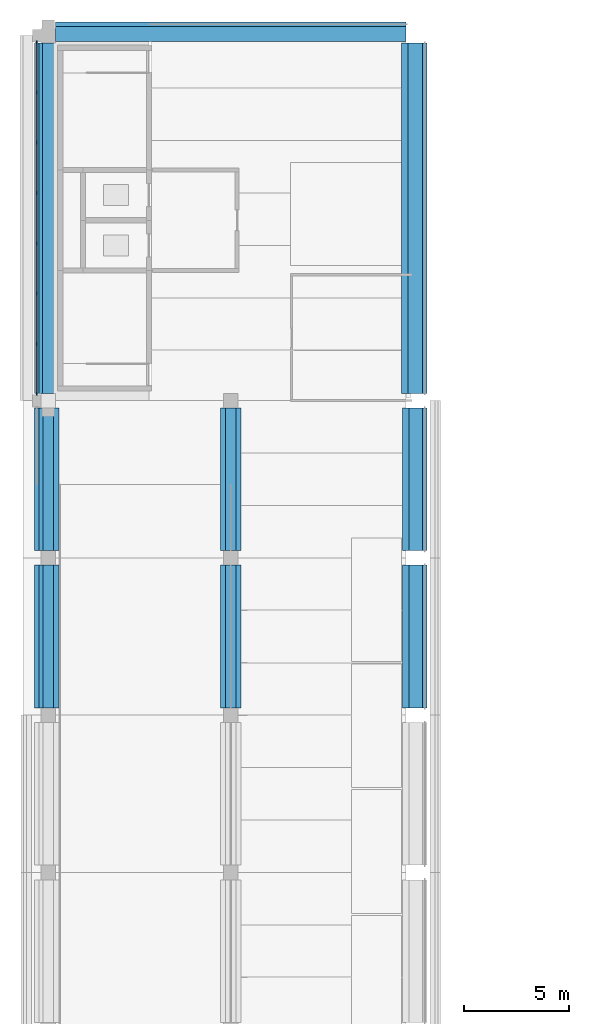
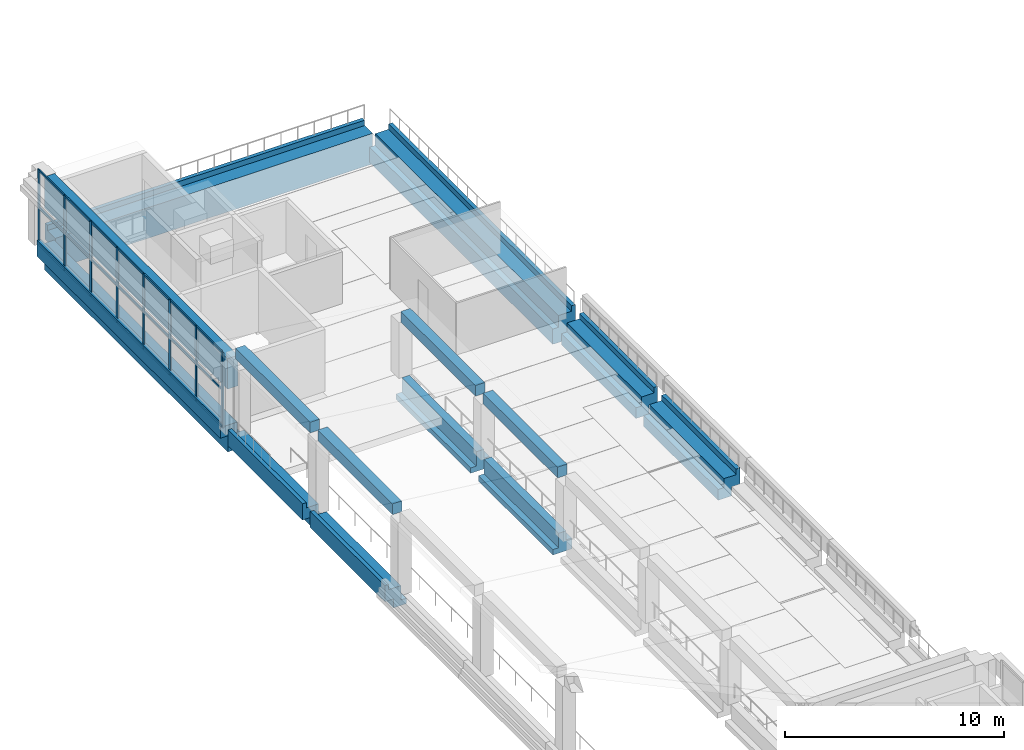
# One storey, part 3 of 17: 29 members, 14 beams, 1 element without a shape of its own.
"""IFC4 building model written with IfcOpenShell, lengths in metres."""

from ifc_helpers import new_model, si_unit, direction, frame, origin, origin_2d, place, context, subcontext, project, spatial, polyline, rectangle, outline, extrude, material, layer, layer_set, material_profile, profile_set, type_object, element, aggregate, save


model = new_model("IFC4")

# Units and contexts
model_context = context("Model", 3, precision=1e-05, world=origin(), true_north=direction((0.0, 1.0)))
body_context = subcontext(model_context, "Body", "Model", "MODEL_VIEW")
ifc_project = project(units=[si_unit("LENGTHUNIT", "METRE"), si_unit("AREAUNIT", "SQUARE_METRE"), si_unit("VOLUMEUNIT", "CUBIC_METRE"), si_unit("PLANEANGLEUNIT", "RADIAN"), si_unit("MASSUNIT", "GRAM", prefix="KILO")], contexts=[model_context])

# Site, building, storey
site_placement = place(None, origin())
site = spatial("IfcSite", under=ifc_project, at=site_placement, CompositionType="ELEMENT")
building_placement = place(site_placement, origin())
building = spatial("IfcBuilding", under=site, at=building_placement, Name="Cour d'Honneur Mobility Palace", CompositionType="ELEMENT")
storey_placement = place(building_placement, frame((0.0, 0.0, 34.10009765625)))
storey = spatial("IfcBuildingStorey", under=building, at=storey_placement, Name="L09", CompositionType="ELEMENT", Elevation=34.10009765625)

# Curtain wall, members
ifc_material_1 = material(Name="Aluminium and glass", Category="aluminium")
ifc_layer = layer(ifc_material_1, 0.10009765625)
ifc_layer_set = layer_set([ifc_layer], Name="Aluminium and glass")
curtain_wall_type = type_object("IfcCurtainWallType", Name="Curtain wall run", PredefinedType="NOTDEFINED", material=ifc_layer_set)
curtain_wall_placement = place(storey_placement, origin())
curtain_wall = element("IfcCurtainWall", 1, at=curtain_wall_placement, inside=storey, type_object=curtain_wall_type, Name="Curtain wall CW-112", PredefinedType="NOTDEFINED")
ifc_material_2 = material(Name="Aluminium", Category="aluminium")
ifc_material_profile_1 = material_profile(ifc_material_2, rectangle(XDim=0.06005859375, YDim=0.159912109375, at=origin_2d()), Name="Curtain wall mullion")
ifc_profile_set_1 = profile_set([ifc_material_profile_1], Name="Aluminium")
member_type_1 = type_object("IfcMemberType", Name="Curtain wall mullion", PredefinedType="MULLION", material=ifc_profile_set_1)
member_1_placement = place(storey_placement, frame((-0.550048828125, 62.070068359375, 0.0), z_axis=(0.0, 0.0, 1.0), x_axis=(1.0, 0.0, 0.0)))
member_1 = element("IfcMember", 2, at=member_1_placement, type_object=member_type_1, Name="CW-112 mullion 1", PredefinedType="MULLION", context=body_context, shape_type="SweptSolid", body=[
    extrude(rectangle(XDim=0.06005859375, YDim=0.159912109375, at=origin_2d()), origin(), (0.0, 0.0, 1.0), 4.199951171875),
])
member_2_placement = place(storey_placement, frame((-0.550048828125, 59.699951171875, 0.0), z_axis=(0.0, 0.0, 1.0), x_axis=(1.0, 0.0, 0.0)))
member_2 = element("IfcMember", 3, at=member_2_placement, type_object=member_type_1, Name="CW-112 mullion 2", PredefinedType="MULLION", context=body_context, shape_type="SweptSolid", body=[
    extrude(rectangle(XDim=0.06005859375, YDim=0.159912109375, at=origin_2d()), origin(), (0.0, 0.0, 1.0), 4.199951171875),
])
member_3_placement = place(storey_placement, frame((-0.550048828125, 57.300048828125, 0.0), z_axis=(0.0, 0.0, 1.0), x_axis=(1.0, 0.0, 0.0)))
member_3 = element("IfcMember", 4, at=member_3_placement, type_object=member_type_1, Name="CW-112 mullion 3", PredefinedType="MULLION", context=body_context, shape_type="SweptSolid", body=[
    extrude(rectangle(XDim=0.06005859375, YDim=0.159912109375, at=origin_2d()), origin(), (0.0, 0.0, 1.0), 4.199951171875),
])
member_4_placement = place(storey_placement, frame((-0.550048828125, 54.89990234375, 0.0), z_axis=(0.0, 0.0, 1.0), x_axis=(1.0, 0.0, 0.0)))
member_4 = element("IfcMember", 5, at=member_4_placement, type_object=member_type_1, Name="CW-112 mullion 4", PredefinedType="MULLION", context=body_context, shape_type="SweptSolid", body=[
    extrude(rectangle(XDim=0.06005859375, YDim=0.159912109375, at=origin_2d()), origin(), (0.0, 0.0, 1.0), 4.199951171875),
])
member_5_placement = place(storey_placement, frame((-0.550048828125, 52.5, 0.0), z_axis=(0.0, 0.0, 1.0), x_axis=(1.0, 0.0, 0.0)))
member_5 = element("IfcMember", 6, at=member_5_placement, type_object=member_type_1, Name="CW-112 mullion 5", PredefinedType="MULLION", context=body_context, shape_type="SweptSolid", body=[
    extrude(rectangle(XDim=0.06005859375, YDim=0.159912109375, at=origin_2d()), origin(), (0.0, 0.0, 1.0), 4.199951171875),
])
member_6_placement = place(storey_placement, frame((-0.550048828125, 50.10009765625, 0.0), z_axis=(0.0, 0.0, 1.0), x_axis=(1.0, 0.0, 0.0)))
member_6 = element("IfcMember", 7, at=member_6_placement, type_object=member_type_1, Name="CW-112 mullion 6", PredefinedType="MULLION", context=body_context, shape_type="SweptSolid", body=[
    extrude(rectangle(XDim=0.06005859375, YDim=0.159912109375, at=origin_2d()), origin(), (0.0, 0.0, 1.0), 4.199951171875),
])
member_7_placement = place(storey_placement, frame((-0.550048828125, 47.699951171875, 0.0), z_axis=(0.0, 0.0, 1.0), x_axis=(1.0, 0.0, 0.0)))
member_7 = element("IfcMember", 8, at=member_7_placement, type_object=member_type_1, Name="CW-112 mullion 7", PredefinedType="MULLION", context=body_context, shape_type="SweptSolid", body=[
    extrude(rectangle(XDim=0.06005859375, YDim=0.159912109375, at=origin_2d()), origin(), (0.0, 0.0, 1.0), 4.199951171875),
])
member_8_placement = place(storey_placement, frame((-0.550048828125, 45.330078125, 0.0), z_axis=(0.0, 0.0, 1.0), x_axis=(1.0, 0.0, 0.0)))
member_8 = element("IfcMember", 9, at=member_8_placement, type_object=member_type_1, Name="CW-112 mullion 8", PredefinedType="MULLION", context=body_context, shape_type="SweptSolid", body=[
    extrude(rectangle(XDim=0.06005859375, YDim=0.159912109375, at=origin_2d()), origin(), (0.0, 0.0, 1.0), 4.199951171875),
])
ifc_material_3 = material(Name="Aluminium", Category="aluminium")
ifc_material_profile_2 = material_profile(ifc_material_3, rectangle(XDim=0.06005859375, YDim=0.1201171875, at=origin_2d()), Name="Curtain wall transom")
ifc_profile_set_2 = profile_set([ifc_material_profile_2], Name="Aluminium")
member_type_2 = type_object("IfcMemberType", Name="Curtain wall transom", PredefinedType="USERDEFINED", material=ifc_profile_set_2)
member_9_placement = place(storey_placement, frame((-0.550048828125, 62.0400390625, 0.02978515625), z_axis=(0.0, -1.0, 0.0), x_axis=(1.0, 0.0, 0.0)))
member_9 = element("IfcMember", 10, at=member_9_placement, type_object=member_type_2, Name="CW-112 transom 1.1", ObjectType="TRANSOM", PredefinedType="USERDEFINED", context=body_context, shape_type="SweptSolid", body=[
    extrude(rectangle(XDim=0.06005859375, YDim=0.1201171875, at=origin_2d()), origin(), (0.0, 0.0, 1.0), 2.31005859375),
])
member_10_placement = place(storey_placement, frame((-0.550048828125, 62.0400390625, 2.099853515625), z_axis=(0.0, -1.0, 0.0), x_axis=(1.0, 0.0, 0.0)))
member_10 = element("IfcMember", 11, at=member_10_placement, type_object=member_type_2, Name="CW-112 transom 1.2", ObjectType="TRANSOM", PredefinedType="USERDEFINED", context=body_context, shape_type="SweptSolid", body=[
    extrude(rectangle(XDim=0.06005859375, YDim=0.1201171875, at=origin_2d()), origin(), (0.0, 0.0, 1.0), 2.31005859375),
])
member_11_placement = place(storey_placement, frame((-0.550048828125, 62.0400390625, 4.169921875), z_axis=(0.0, -1.0, 0.0), x_axis=(1.0, 0.0, 0.0)))
member_11 = element("IfcMember", 12, at=member_11_placement, type_object=member_type_2, Name="CW-112 transom 1.3", ObjectType="TRANSOM", PredefinedType="USERDEFINED", context=body_context, shape_type="SweptSolid", body=[
    extrude(rectangle(XDim=0.06005859375, YDim=0.1201171875, at=origin_2d()), origin(), (0.0, 0.0, 1.0), 2.31005859375),
])
member_12_placement = place(storey_placement, frame((-0.550048828125, 59.669921875, 0.02978515625), z_axis=(0.0, -1.0, 0.0), x_axis=(1.0, 0.0, 0.0)))
member_12 = element("IfcMember", 13, at=member_12_placement, type_object=member_type_2, Name="CW-112 transom 2.1", ObjectType="TRANSOM", PredefinedType="USERDEFINED", context=body_context, shape_type="SweptSolid", body=[
    extrude(rectangle(XDim=0.06005859375, YDim=0.1201171875, at=origin_2d()), origin(), (0.0, 0.0, 1.0), 2.33984375),
])
member_13_placement = place(storey_placement, frame((-0.550048828125, 59.669921875, 2.099853515625), z_axis=(0.0, -1.0, 0.0), x_axis=(1.0, 0.0, 0.0)))
member_13 = element("IfcMember", 14, at=member_13_placement, type_object=member_type_2, Name="CW-112 transom 2.2", ObjectType="TRANSOM", PredefinedType="USERDEFINED", context=body_context, shape_type="SweptSolid", body=[
    extrude(rectangle(XDim=0.06005859375, YDim=0.1201171875, at=origin_2d()), origin(), (0.0, 0.0, 1.0), 2.33984375),
])
member_14_placement = place(storey_placement, frame((-0.550048828125, 59.669921875, 4.169921875), z_axis=(0.0, -1.0, 0.0), x_axis=(1.0, 0.0, 0.0)))
member_14 = element("IfcMember", 15, at=member_14_placement, type_object=member_type_2, Name="CW-112 transom 2.3", ObjectType="TRANSOM", PredefinedType="USERDEFINED", context=body_context, shape_type="SweptSolid", body=[
    extrude(rectangle(XDim=0.06005859375, YDim=0.1201171875, at=origin_2d()), origin(), (0.0, 0.0, 1.0), 2.33984375),
])
member_15_placement = place(storey_placement, frame((-0.550048828125, 57.27001953125, 0.02978515625), z_axis=(0.0, -1.0, 0.0), x_axis=(1.0, 0.0, 0.0)))
member_15 = element("IfcMember", 16, at=member_15_placement, type_object=member_type_2, Name="CW-112 transom 3.1", ObjectType="TRANSOM", PredefinedType="USERDEFINED", context=body_context, shape_type="SweptSolid", body=[
    extrude(rectangle(XDim=0.06005859375, YDim=0.1201171875, at=origin_2d()), origin(), (0.0, 0.0, 1.0), 2.340087890625),
])
member_16_placement = place(storey_placement, frame((-0.550048828125, 57.27001953125, 2.099853515625), z_axis=(0.0, -1.0, 0.0), x_axis=(1.0, 0.0, 0.0)))
member_16 = element("IfcMember", 17, at=member_16_placement, type_object=member_type_2, Name="CW-112 transom 3.2", ObjectType="TRANSOM", PredefinedType="USERDEFINED", context=body_context, shape_type="SweptSolid", body=[
    extrude(rectangle(XDim=0.06005859375, YDim=0.1201171875, at=origin_2d()), origin(), (0.0, 0.0, 1.0), 2.340087890625),
])
member_17_placement = place(storey_placement, frame((-0.550048828125, 57.27001953125, 4.169921875), z_axis=(0.0, -1.0, 0.0), x_axis=(1.0, 0.0, 0.0)))
member_17 = element("IfcMember", 18, at=member_17_placement, type_object=member_type_2, Name="CW-112 transom 3.3", ObjectType="TRANSOM", PredefinedType="USERDEFINED", context=body_context, shape_type="SweptSolid", body=[
    extrude(rectangle(XDim=0.06005859375, YDim=0.1201171875, at=origin_2d()), origin(), (0.0, 0.0, 1.0), 2.340087890625),
])
member_18_placement = place(storey_placement, frame((-0.550048828125, 54.8701171875, 0.02978515625), z_axis=(0.0, -1.0, 0.0), x_axis=(1.0, 0.0, 0.0)))
member_18 = element("IfcMember", 19, at=member_18_placement, type_object=member_type_2, Name="CW-112 transom 4.1", ObjectType="TRANSOM", PredefinedType="USERDEFINED", context=body_context, shape_type="SweptSolid", body=[
    extrude(rectangle(XDim=0.06005859375, YDim=0.1201171875, at=origin_2d()), origin(), (0.0, 0.0, 1.0), 2.340087890625),
])
member_19_placement = place(storey_placement, frame((-0.550048828125, 54.8701171875, 2.099853515625), z_axis=(0.0, -1.0, 0.0), x_axis=(1.0, 0.0, 0.0)))
member_19 = element("IfcMember", 20, at=member_19_placement, type_object=member_type_2, Name="CW-112 transom 4.2", ObjectType="TRANSOM", PredefinedType="USERDEFINED", context=body_context, shape_type="SweptSolid", body=[
    extrude(rectangle(XDim=0.06005859375, YDim=0.1201171875, at=origin_2d()), origin(), (0.0, 0.0, 1.0), 2.340087890625),
])
member_20_placement = place(storey_placement, frame((-0.550048828125, 54.8701171875, 4.169921875), z_axis=(0.0, -1.0, 0.0), x_axis=(1.0, 0.0, 0.0)))
member_20 = element("IfcMember", 21, at=member_20_placement, type_object=member_type_2, Name="CW-112 transom 4.3", ObjectType="TRANSOM", PredefinedType="USERDEFINED", context=body_context, shape_type="SweptSolid", body=[
    extrude(rectangle(XDim=0.06005859375, YDim=0.1201171875, at=origin_2d()), origin(), (0.0, 0.0, 1.0), 2.340087890625),
])
member_21_placement = place(storey_placement, frame((-0.550048828125, 52.469970703125, 0.02978515625), z_axis=(0.0, -1.0, 0.0), x_axis=(1.0, 0.0, 0.0)))
member_21 = element("IfcMember", 22, at=member_21_placement, type_object=member_type_2, Name="CW-112 transom 5.1", ObjectType="TRANSOM", PredefinedType="USERDEFINED", context=body_context, shape_type="SweptSolid", body=[
    extrude(rectangle(XDim=0.06005859375, YDim=0.1201171875, at=origin_2d()), origin(), (0.0, 0.0, 1.0), 2.340087890625),
])
member_22_placement = place(storey_placement, frame((-0.550048828125, 52.469970703125, 2.099853515625), z_axis=(0.0, -1.0, 0.0), x_axis=(1.0, 0.0, 0.0)))
member_22 = element("IfcMember", 23, at=member_22_placement, type_object=member_type_2, Name="CW-112 transom 5.2", ObjectType="TRANSOM", PredefinedType="USERDEFINED", context=body_context, shape_type="SweptSolid", body=[
    extrude(rectangle(XDim=0.06005859375, YDim=0.1201171875, at=origin_2d()), origin(), (0.0, 0.0, 1.0), 2.340087890625),
])
member_23_placement = place(storey_placement, frame((-0.550048828125, 52.469970703125, 4.169921875), z_axis=(0.0, -1.0, 0.0), x_axis=(1.0, 0.0, 0.0)))
member_23 = element("IfcMember", 24, at=member_23_placement, type_object=member_type_2, Name="CW-112 transom 5.3", ObjectType="TRANSOM", PredefinedType="USERDEFINED", context=body_context, shape_type="SweptSolid", body=[
    extrude(rectangle(XDim=0.06005859375, YDim=0.1201171875, at=origin_2d()), origin(), (0.0, 0.0, 1.0), 2.340087890625),
])
member_24_placement = place(storey_placement, frame((-0.550048828125, 50.070068359375, 0.02978515625), z_axis=(0.0, -1.0, 0.0), x_axis=(1.0, 0.0, 0.0)))
member_24 = element("IfcMember", 25, at=member_24_placement, type_object=member_type_2, Name="CW-112 transom 6.1", ObjectType="TRANSOM", PredefinedType="USERDEFINED", context=body_context, shape_type="SweptSolid", body=[
    extrude(rectangle(XDim=0.06005859375, YDim=0.1201171875, at=origin_2d()), origin(), (0.0, 0.0, 1.0), 2.340087890625),
])
member_25_placement = place(storey_placement, frame((-0.550048828125, 50.070068359375, 2.099853515625), z_axis=(0.0, -1.0, 0.0), x_axis=(1.0, 0.0, 0.0)))
member_25 = element("IfcMember", 26, at=member_25_placement, type_object=member_type_2, Name="CW-112 transom 6.2", ObjectType="TRANSOM", PredefinedType="USERDEFINED", context=body_context, shape_type="SweptSolid", body=[
    extrude(rectangle(XDim=0.06005859375, YDim=0.1201171875, at=origin_2d()), origin(), (0.0, 0.0, 1.0), 2.340087890625),
])
member_26_placement = place(storey_placement, frame((-0.550048828125, 50.070068359375, 4.169921875), z_axis=(0.0, -1.0, 0.0), x_axis=(1.0, 0.0, 0.0)))
member_26 = element("IfcMember", 27, at=member_26_placement, type_object=member_type_2, Name="CW-112 transom 6.3", ObjectType="TRANSOM", PredefinedType="USERDEFINED", context=body_context, shape_type="SweptSolid", body=[
    extrude(rectangle(XDim=0.06005859375, YDim=0.1201171875, at=origin_2d()), origin(), (0.0, 0.0, 1.0), 2.340087890625),
])
member_27_placement = place(storey_placement, frame((-0.550048828125, 47.669921875, 0.02978515625), z_axis=(0.0, -1.0, 0.0), x_axis=(1.0, 0.0, 0.0)))
member_27 = element("IfcMember", 28, at=member_27_placement, type_object=member_type_2, Name="CW-112 transom 7.1", ObjectType="TRANSOM", PredefinedType="USERDEFINED", context=body_context, shape_type="SweptSolid", body=[
    extrude(rectangle(XDim=0.06005859375, YDim=0.1201171875, at=origin_2d()), origin(), (0.0, 0.0, 1.0), 2.309814453125),
])
member_28_placement = place(storey_placement, frame((-0.550048828125, 47.669921875, 2.099853515625), z_axis=(0.0, -1.0, 0.0), x_axis=(1.0, 0.0, 0.0)))
member_28 = element("IfcMember", 29, at=member_28_placement, type_object=member_type_2, Name="CW-112 transom 7.2", ObjectType="TRANSOM", PredefinedType="USERDEFINED", context=body_context, shape_type="SweptSolid", body=[
    extrude(rectangle(XDim=0.06005859375, YDim=0.1201171875, at=origin_2d()), origin(), (0.0, 0.0, 1.0), 2.309814453125),
])
member_29_placement = place(storey_placement, frame((-0.550048828125, 47.669921875, 4.169921875), z_axis=(0.0, -1.0, 0.0), x_axis=(1.0, 0.0, 0.0)))
member_29 = element("IfcMember", 30, at=member_29_placement, type_object=member_type_2, Name="CW-112 transom 7.3", ObjectType="TRANSOM", PredefinedType="USERDEFINED", context=body_context, shape_type="SweptSolid", body=[
    extrude(rectangle(XDim=0.06005859375, YDim=0.1201171875, at=origin_2d()), origin(), (0.0, 0.0, 1.0), 2.309814453125),
])
aggregate(curtain_wall, [member_1, member_2, member_3, member_4, member_5, member_6, member_7, member_8, member_9, member_10, member_11, member_12, member_13, member_14, member_15, member_16, member_17, member_18, member_19, member_20, member_21, member_22, member_23, member_24, member_25, member_26, member_27, member_28, member_29])

# Beams
ifc_material_4 = material(Name="Concrete C45", Category="concrete")
ifc_material_profile_3 = material_profile(ifc_material_4, outline(polyline([(0.27490234375, -1.699951171875), (0.27490234375, -0.60009765625), (0.64990234375, -0.60009765625), (0.64990234375, 0.300048828125), (0.449951171875, 0.300048828125), (0.449951171875, 0.0), (0.27490234375, 0.0), (-0.27490234375, 0.0), (-0.27490234375, -1.699951171875), (0.27490234375, -1.699951171875)])), Name="Edge Spandrel Beam 550x1700 no ledge facade left")
ifc_profile_set_3 = profile_set([ifc_material_profile_3], Name="Concrete C45")
beam_type_1 = type_object("IfcBeamType", Name="Edge Spandrel Beam 550x1700 no ledge facade left", PredefinedType="SPANDREL", material=ifc_profile_set_3)
beam_1_placement = place(storey_placement, frame((0.35009765625, 62.39990234375, 0.0), z_axis=(1.0, 0.0, 0.0), x_axis=(0.0, 1.0, 0.0)))
element("IfcBeam", 31, at=beam_1_placement, inside=storey, type_object=beam_type_1, Name="Precast beam B7 1-2 L09", PredefinedType="SPANDREL", context=body_context, shape_type="SweptSolid", body=[
    extrude(outline(polyline([(0.27490234375, -1.699951171875), (0.27490234375, -0.60009765625), (0.64990234375, -0.60009765625), (0.64990234375, 0.300048828125), (0.449951171875, 0.300048828125), (0.449951171875, 0.0), (0.27490234375, 0.0), (-0.27490234375, 0.0), (-0.27490234375, -1.699951171875), (0.27490234375, -1.699951171875)])), origin(), (0.0, 0.0, 1.0), 16.699951171875),
])
ifc_material_5 = material(Name="Concrete C45", Category="concrete")
ifc_material_profile_4 = material_profile(ifc_material_5, outline(polyline([(0.27490234375, -1.699951171875), (0.27490234375, 0.0), (-0.27490234375, 0.0), (-0.27490234375, -1.699951171875), (0.27490234375, -1.699951171875)])), Name="Edge Spandrel Beam 550x1700 no ledge plain")
ifc_profile_set_4 = profile_set([ifc_material_profile_4], Name="Concrete C45")
beam_type_2 = type_object("IfcBeamType", Name="Edge Spandrel Beam 550x1700 no ledge plain", PredefinedType="SPANDREL", material=ifc_profile_set_4)
beam_2_placement = place(storey_placement, frame((0.0, 45.35009765625, 3.699951171875), z_axis=(0.0, 1.0, 0.0), x_axis=(-1.0, 0.0, 0.0)))
element("IfcBeam", 32, at=beam_2_placement, inside=storey, type_object=beam_type_2, Name="Precast beam B22 G-H ROOF", PredefinedType="SPANDREL", context=body_context, shape_type="SweptSolid", body=[
    extrude(outline(polyline([(0.27490234375, -1.699951171875), (0.27490234375, 0.0), (-0.27490234375, 0.0), (-0.27490234375, -1.699951171875), (0.27490234375, -1.699951171875)])), origin(), (0.0, 0.0, 1.0), 16.699951171875),
])
ifc_material_6 = material(Name="Concrete C45", Category="concrete")
ifc_material_profile_5 = material_profile(ifc_material_6, outline(polyline([(0.5, -1.10009765625), (0.5, -0.800048828125), (0.199951171875, -0.800048828125), (0.199951171875, 0.0), (-0.199951171875, 0.0), (-0.199951171875, -0.5), (-0.5, -0.5), (-0.5, -1.10009765625), (0.5, -1.10009765625)])), Name="Inverted Tee Beam 400x1100 ledges 300/600 plain")
ifc_profile_set_5 = profile_set([ifc_material_profile_5], Name="Concrete C45")
beam_type_3 = type_object("IfcBeamType", Name="Inverted Tee Beam 400x1100 ledges 300/600 plain", PredefinedType="T_BEAM", material=ifc_profile_set_5)
for number, where, z_axis, x_axis, name in (
    (33, (8.699951171875, 30.35009765625, 0.0), (0.0, 1.0, 0.0), (-1.0, 0.0, 0.0), "Precast beam B11 E-F L09"),
    (34, (8.699951171875, 37.85009765625, 0.0), (0.0, 1.0, 0.0), (-1.0, 0.0, 0.0), "Precast beam B11 F-G L09"),
):
    element("IfcBeam", number, at=place(storey_placement, frame(where, z_axis=z_axis, x_axis=x_axis)), inside=storey, type_object=beam_type_3, Name=name, PredefinedType="T_BEAM", context=body_context, shape_type="SweptSolid", body=[
        extrude(outline(polyline([(0.5, -1.10009765625), (0.5, -0.800048828125), (0.199951171875, -0.800048828125), (0.199951171875, 0.0), (-0.199951171875, 0.0), (-0.199951171875, -0.5), (-0.5, -0.5), (-0.5, -1.10009765625), (0.5, -1.10009765625)])), origin(), (0.0, 0.0, 1.0), 6.7998046875),
    ])
ifc_material_7 = material(Name="Concrete C45", Category="concrete")
ifc_material_profile_6 = material_profile(ifc_material_7, outline(polyline([(0.5, -1.10009765625), (0.5, -0.5), (0.199951171875, -0.5), (0.199951171875, 0.0), (-0.199951171875, 0.0), (-0.449951171875, 0.0), (-0.449951171875, 0.300048828125), (-0.64990234375, 0.300048828125), (-0.64990234375, -0.60009765625), (-0.199951171875, -0.60009765625), (-0.199951171875, -1.10009765625), (0.5, -1.10009765625)])), Name="Ledger Beam 400x1100 ledge left 600 facade right")
ifc_profile_set_6 = profile_set([ifc_material_profile_6], Name="Concrete C45")
beam_type_4 = type_object("IfcBeamType", Name="Ledger Beam 400x1100 ledge left 600 facade right", PredefinedType="BEAM", material=ifc_profile_set_6)
for number, where, z_axis, x_axis, name in (
    (35, (17.39990234375, 30.35009765625, 0.0), (0.0, 1.0, 0.0), (-1.0, 0.0, 0.0), "Precast beam B12 E-F L09"),
    (36, (17.39990234375, 37.85009765625, 0.0), (0.0, 1.0, 0.0), (-1.0, 0.0, 0.0), "Precast beam B12 F-G L09"),
):
    element("IfcBeam", number, at=place(storey_placement, frame(where, z_axis=z_axis, x_axis=x_axis)), inside=storey, type_object=beam_type_4, Name=name, PredefinedType="BEAM", context=body_context, shape_type="SweptSolid", body=[
        extrude(outline(polyline([(0.5, -1.10009765625), (0.5, -0.5), (0.199951171875, -0.5), (0.199951171875, 0.0), (-0.199951171875, 0.0), (-0.449951171875, 0.0), (-0.449951171875, 0.300048828125), (-0.64990234375, 0.300048828125), (-0.64990234375, -0.60009765625), (-0.199951171875, -0.60009765625), (-0.199951171875, -1.10009765625), (0.5, -1.10009765625)])), origin(), (0.0, 0.0, 1.0), 6.7998046875),
    ])
ifc_material_8 = material(Name="Concrete C45", Category="concrete")
ifc_material_profile_7 = material_profile(ifc_material_8, outline(polyline([(0.199951171875, -1.10009765625), (0.199951171875, -0.60009765625), (0.64990234375, -0.60009765625), (0.64990234375, 0.300048828125), (0.449951171875, 0.300048828125), (0.449951171875, 0.0), (0.199951171875, 0.0), (-0.199951171875, 0.0), (-0.199951171875, -0.800048828125), (-0.5, -0.800048828125), (-0.5, -1.10009765625), (0.199951171875, -1.10009765625)])), Name="Ledger Beam 400x1100 ledge right 300 facade left")
ifc_profile_set_7 = profile_set([ifc_material_profile_7], Name="Concrete C45")
beam_type_5 = type_object("IfcBeamType", Name="Ledger Beam 400x1100 ledge right 300 facade left", PredefinedType="BEAM", material=ifc_profile_set_7)
for number, where, z_axis, x_axis, name in (
    (37, (0.0, 30.35009765625, 0.0), (0.0, 1.0, 0.0), (-1.0, 0.0, 0.0), "Precast beam B6 E-F L09"),
    (38, (0.0, 37.85009765625, 0.0), (0.0, 1.0, 0.0), (-1.0, 0.0, 0.0), "Precast beam B6 F-G L09"),
):
    element("IfcBeam", number, at=place(storey_placement, frame(where, z_axis=z_axis, x_axis=x_axis)), inside=storey, type_object=beam_type_5, Name=name, PredefinedType="BEAM", context=body_context, shape_type="SweptSolid", body=[
        extrude(outline(polyline([(0.199951171875, -1.10009765625), (0.199951171875, -0.60009765625), (0.64990234375, -0.60009765625), (0.64990234375, 0.300048828125), (0.449951171875, 0.300048828125), (0.449951171875, 0.0), (0.199951171875, 0.0), (-0.199951171875, 0.0), (-0.199951171875, -0.800048828125), (-0.5, -0.800048828125), (-0.5, -1.10009765625), (0.199951171875, -1.10009765625)])), origin(), (0.0, 0.0, 1.0), 6.7998046875),
    ])
ifc_material_9 = material(Name="Concrete C45", Category="concrete")
ifc_material_profile_8 = material_profile(ifc_material_9, outline(polyline([(0.550048828125, -1.5), (0.550048828125, -0.64990234375), (0.25, -0.64990234375), (0.25, 0.0), (-0.25, 0.0), (-0.449951171875, 0.0), (-0.449951171875, 0.300048828125), (-0.64990234375, 0.300048828125), (-0.64990234375, -0.60009765625), (-0.25, -0.60009765625), (-0.25, -1.5), (0.550048828125, -1.5)])), Name="Ledger Beam 500x1500 ledge left 850 facade right")
ifc_profile_set_8 = profile_set([ifc_material_profile_8], Name="Concrete C45")
beam_type_6 = type_object("IfcBeamType", Name="Ledger Beam 500x1500 ledge left 850 facade right", PredefinedType="BEAM", material=ifc_profile_set_8)
beam_3_placement = place(storey_placement, frame((17.39990234375, 45.35009765625, 0.0), z_axis=(0.0, 1.0, 0.0), x_axis=(-1.0, 0.0, 0.0)))
element("IfcBeam", 39, at=beam_3_placement, inside=storey, type_object=beam_type_6, Name="Precast beam B23 G-H L09", PredefinedType="BEAM", context=body_context, shape_type="SweptSolid", body=[
    extrude(outline(polyline([(0.550048828125, -1.5), (0.550048828125, -0.64990234375), (0.25, -0.64990234375), (0.25, 0.0), (-0.25, 0.0), (-0.449951171875, 0.0), (-0.449951171875, 0.300048828125), (-0.64990234375, 0.300048828125), (-0.64990234375, -0.60009765625), (-0.25, -0.60009765625), (-0.25, -1.5), (0.550048828125, -1.5)])), origin(), (0.0, 0.0, 1.0), 16.699951171875),
])
ifc_material_10 = material(Name="Concrete C45", Category="concrete")
ifc_material_profile_9 = material_profile(ifc_material_10, outline(polyline([(0.25, -1.5), (0.25, -0.60009765625), (0.64990234375, -0.60009765625), (0.64990234375, 0.300048828125), (0.449951171875, 0.300048828125), (0.449951171875, 0.0), (0.25, 0.0), (-0.25, 0.0), (-0.25, -0.800048828125), (-0.550048828125, -0.800048828125), (-0.550048828125, -1.5), (0.25, -1.5)])), Name="Ledger Beam 500x1500 ledge right 700 facade left")
ifc_profile_set_9 = profile_set([ifc_material_profile_9], Name="Concrete C45")
beam_type_7 = type_object("IfcBeamType", Name="Ledger Beam 500x1500 ledge right 700 facade left", PredefinedType="BEAM", material=ifc_profile_set_9)
beam_4_placement = place(storey_placement, frame((0.0, 45.35009765625, 0.0), z_axis=(0.0, 1.0, 0.0), x_axis=(-1.0, 0.0, 0.0)))
element("IfcBeam", 40, at=beam_4_placement, inside=storey, type_object=beam_type_7, Name="Precast beam B8 G-H L09", PredefinedType="BEAM", context=body_context, shape_type="SweptSolid", body=[
    extrude(outline(polyline([(0.25, -1.5), (0.25, -0.60009765625), (0.64990234375, -0.60009765625), (0.64990234375, 0.300048828125), (0.449951171875, 0.300048828125), (0.449951171875, 0.0), (0.25, 0.0), (-0.25, 0.0), (-0.25, -0.800048828125), (-0.550048828125, -0.800048828125), (-0.550048828125, -1.5), (0.25, -1.5)])), origin(), (0.0, 0.0, 1.0), 16.699951171875),
])
ifc_material_11 = material(Name="Concrete C50", Category="concrete")
ifc_material_profile_10 = material_profile(ifc_material_11, rectangle(XDim=0.5, YDim=0.60009765625, at=origin_2d()), Name="Ramp house roof beam 500x600")
ifc_profile_set_10 = profile_set([ifc_material_profile_10], Name="Concrete C50")
beam_type_8 = type_object("IfcBeamType", Name="Ramp house roof beam 500x600", PredefinedType="BEAM", material=ifc_profile_set_10)
for number, where, z_axis, x_axis, name in (
    (41, (0.0, 30.35009765625, 4.39990234375), (0.0, 1.0, 0.0), (-1.0, 0.0, 0.0), "Ramp house roof beam RHB-WO5"),
    (42, (0.0, 37.85009765625, 4.39990234375), (0.0, 1.0, 0.0), (-1.0, 0.0, 0.0), "Ramp house roof beam RHB-WO6"),
    (43, (8.699951171875, 30.35009765625, 3.39990234375), (0.0, 1.0, 0.0), (-1.0, 0.0, 0.0), "Ramp house roof beam RHB-WI5"),
    (44, (8.699951171875, 37.85009765625, 3.39990234375), (0.0, 1.0, 0.0), (-1.0, 0.0, 0.0), "Ramp house roof beam RHB-WI6"),
):
    element("IfcBeam", number, at=place(storey_placement, frame(where, z_axis=z_axis, x_axis=x_axis)), inside=storey, type_object=beam_type_8, Name=name, PredefinedType="BEAM", context=body_context, shape_type="SweptSolid", body=[
        extrude(rectangle(XDim=0.5, YDim=0.60009765625, at=origin_2d()), origin(), (0.0, 0.0, 1.0), 6.7998046875),
    ])

save(model, "model.ifc")
